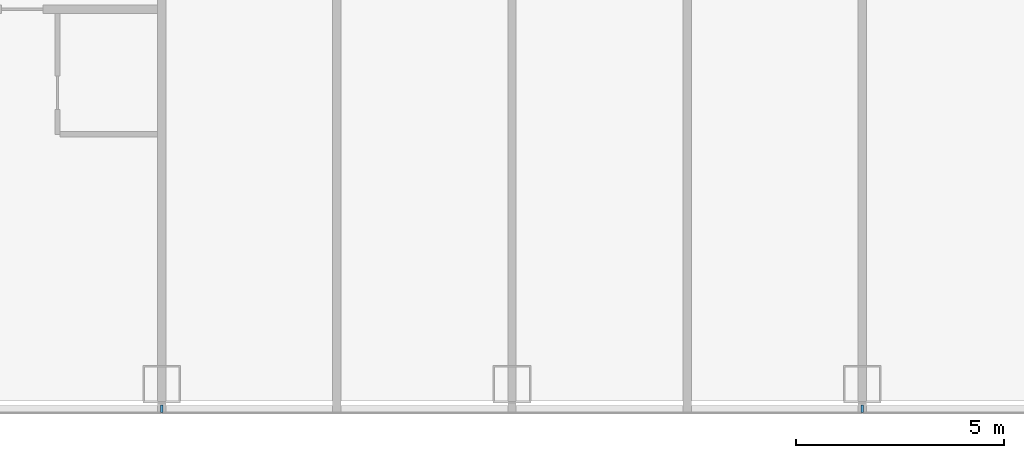
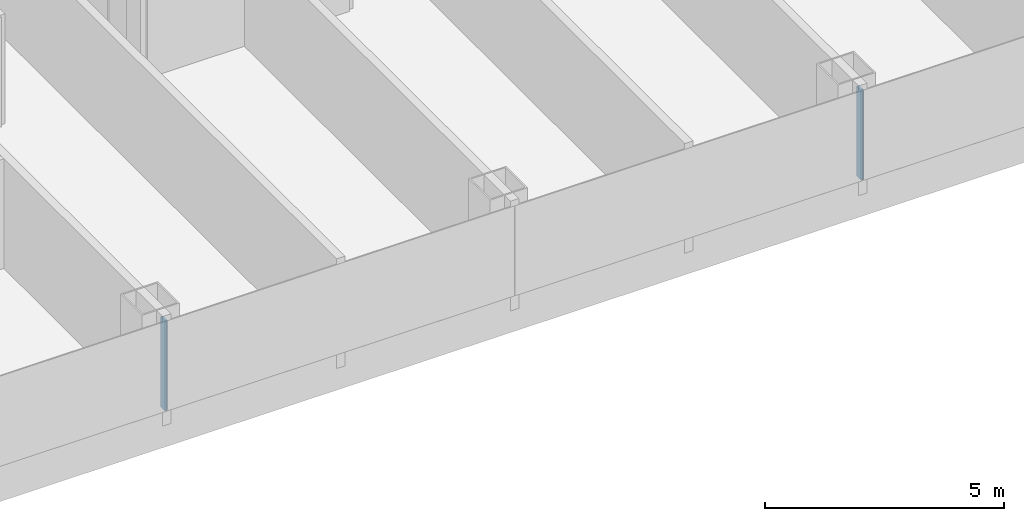
# One storey, part 4 of 29: 2 members, 1 element without a shape of its own.
"""IFC4 building model written with IfcOpenShell, lengths in metres."""

from ifc_helpers import new_model, si_unit, direction, frame, origin, origin_2d, place, context, subcontext, project, spatial, rectangle, extrude, material, layer, layer_set, material_profile, profile_set, type_object, element, aggregate, save


model = new_model("IFC4")

# Units and contexts
model_context = context("Model", 3, precision=1e-05, world=origin(), true_north=direction((0.0, 1.0)))
body_context = subcontext(model_context, "Body", "Model", "MODEL_VIEW")
ifc_project = project(units=[si_unit("LENGTHUNIT", "METRE"), si_unit("AREAUNIT", "SQUARE_METRE"), si_unit("VOLUMEUNIT", "CUBIC_METRE"), si_unit("PLANEANGLEUNIT", "RADIAN"), si_unit("MASSUNIT", "GRAM", prefix="KILO")], contexts=[model_context])

# Site, building, storey
site_placement = place(None, origin())
site = spatial("IfcSite", under=ifc_project, at=site_placement, CompositionType="ELEMENT")
building_placement = place(site_placement, origin())
building = spatial("IfcBuilding", under=site, at=building_placement, Name="Hakoniwa Tower and Hamabe Station Hall", CompositionType="ELEMENT")
storey_placement = place(building_placement, frame((0.0, 0.0, 55.0)))
storey = spatial("IfcBuildingStorey", under=building, at=storey_placement, Name="L15", CompositionType="ELEMENT", Elevation=55.0)

# Curtain wall, members
ifc_material_1 = material(Name="Dark low-e laminated glass", Category="glass")
ifc_layer = layer(ifc_material_1, 0.199951171875)
ifc_layer_set = layer_set([ifc_layer], Name="CW-1 UNITISED GUEST")
curtain_wall_type = type_object("IfcCurtainWallType", Name="CW-1 UNITISED GUEST", PredefinedType="NOTDEFINED", material=ifc_layer_set)
curtain_wall_placement = place(storey_placement, origin())
curtain_wall = element("IfcCurtainWall", 1, at=curtain_wall_placement, inside=storey, type_object=curtain_wall_type, Name="CW-1 curtain wall", PredefinedType="NOTDEFINED")
ifc_material_2 = material(Name="Aluminium 6063-T5 black anodised", Category="aluminium")
ifc_material_profile = material_profile(ifc_material_2, rectangle(XDim=0.06005859375, YDim=0.179931640625, at=origin_2d()), Name="CW-1 MULLION 60X180")
ifc_profile_set = profile_set([ifc_material_profile], Name="Aluminium 6063-T5 black anodised")
member_type = type_object("IfcMemberType", Name="CW-1 MULLION 60X180", PredefinedType="MULLION", material=ifc_profile_set)
member_1_placement = place(storey_placement, frame((-16.800048828125, -20.181884765625, 0.35009765625), z_axis=(0.0, 0.0, 1.0), x_axis=(1.0, 0.0, 0.0)))
member_1 = element("IfcMember", 2, at=member_1_placement, type_object=member_type, Name="CW-1 mullion", PredefinedType="MULLION", context=body_context, shape_type="SweptSolid", body=[
    extrude(rectangle(XDim=0.06005859375, YDim=0.179931640625, at=origin_2d()), origin(), (0.0, 0.0, 1.0), 2.2998046875),
])
member_2_placement = place(storey_placement, frame((0.0, -20.181884765625, 0.35009765625), z_axis=(0.0, 0.0, 1.0), x_axis=(1.0, 0.0, 0.0)))
member_2 = element("IfcMember", 3, at=member_2_placement, type_object=member_type, Name="CW-1 mullion", PredefinedType="MULLION", context=body_context, shape_type="SweptSolid", body=[
    extrude(rectangle(XDim=0.06005859375, YDim=0.179931640625, at=origin_2d()), origin(), (0.0, 0.0, 1.0), 2.2998046875),
])
aggregate(curtain_wall, [member_1, member_2])

save(model, "model.ifc")
